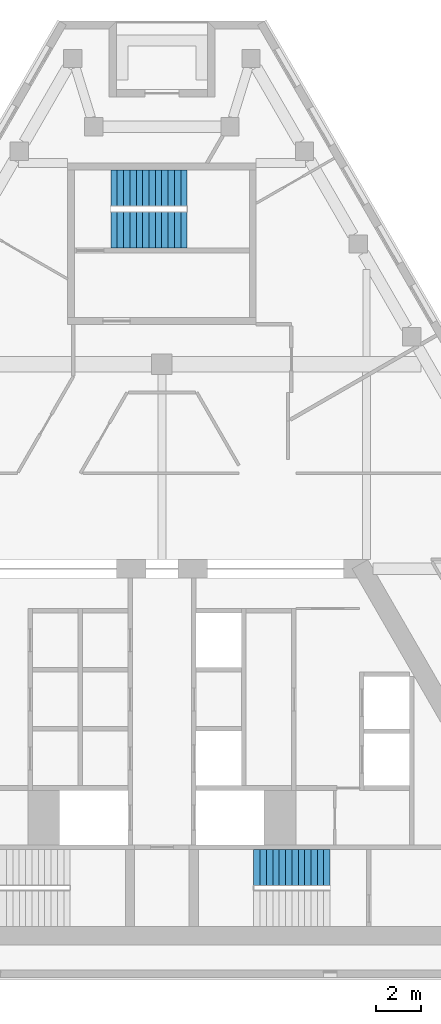
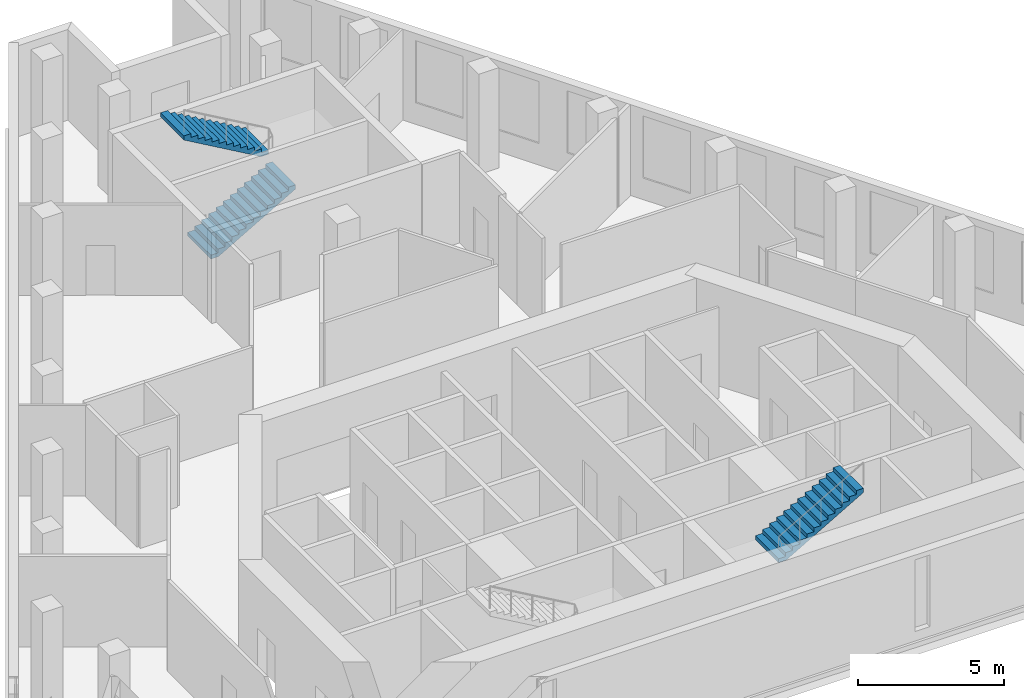
# One storey, part 7 of 8: 3 stair flights, 2 elements without a shape of their own.
"""IFC4 building model written with IfcOpenShell, lengths in metres."""

from ifc_helpers import new_model, si_unit, direction, frame, origin, place, context, subcontext, project, spatial, polyline, outline, extrude, material, type_object, element, aggregate, save


model = new_model("IFC4")

# Units and contexts
model_context = context("Model", 3, precision=1e-05, world=origin(), true_north=direction((0.0, 1.0)))
body_context = subcontext(model_context, "Body", "Model", "MODEL_VIEW")
ifc_project = project(units=[si_unit("LENGTHUNIT", "METRE"), si_unit("AREAUNIT", "SQUARE_METRE"), si_unit("VOLUMEUNIT", "CUBIC_METRE"), si_unit("PLANEANGLEUNIT", "RADIAN"), si_unit("MASSUNIT", "GRAM", prefix="KILO")], contexts=[model_context])

# Site, building, storey
site_placement = place(None, origin())
site = spatial("IfcSite", under=ifc_project, at=site_placement, CompositionType="ELEMENT")
building_placement = place(site_placement, origin())
building = spatial("IfcBuilding", under=site, at=building_placement, Name="Fogline Exchange Tower", CompositionType="ELEMENT")
storey_placement = place(building_placement, frame((0.0, 0.0, 326.699951171875)))
storey = spatial("IfcBuildingStorey", under=building, at=storey_placement, Name="L74", CompositionType="ELEMENT", Elevation=326.699951171875)

# Stair, stair flight
ifc_material = material(Name="Concrete C40", Category="concrete")
stair_type = type_object("IfcStairType", Name="STR26-1615", PredefinedType="HALF_TURN_STAIR", material=ifc_material)
stair_1_placement = place(storey_placement, origin())
stair_1 = element("IfcStair", 1, at=stair_1_placement, inside=storey, type_object=stair_type, Name="Stair ST2", PredefinedType="HALF_TURN_STAIR")
stair_flight_type = type_object("IfcStairFlightType", Name="SF13-1615", PredefinedType="STRAIGHT", material=ifc_material)
stair_flight_1_placement = place(storey_placement, frame((4.0400390625, 4.85009765625, 2.10009765625), z_axis=(0.0, 0.0, 1.0), x_axis=(1.0, 0.0, 0.0)))
stair_flight_1 = element("IfcStairFlight", 2, at=stair_flight_1_placement, type_object=stair_flight_type, Name="ST2 flight 2", NumberOfRisers=13, NumberOfTreads=12, PredefinedType="STRAIGHT", RiserHeight=0.161538462, TreadLength=0.28, context=body_context, shape_type="SweptSolid", body=[
    extrude(outline(polyline([(0.0, 0.0), (0.0, 0.16162109375), (0.280029296875, 0.16162109375), (0.280029296875, 0.322998046875), (0.56005859375, 0.322998046875), (0.56005859375, 0.484619140625), (0.840087890625, 0.484619140625), (0.840087890625, 0.646240234375), (1.1201171875, 0.646240234375), (1.1201171875, 0.8076171875), (1.39990234375, 0.8076171875), (1.39990234375, 0.96923828125), (1.679931640625, 0.96923828125), (1.679931640625, 1.130859375), (1.9599609375, 1.130859375), (1.9599609375, 1.292236328125), (2.239990234375, 1.292236328125), (2.239990234375, 1.453857421875), (2.52001953125, 1.453857421875), (2.52001953125, 1.615478515625), (2.800048828125, 1.615478515625), (2.800048828125, 1.77685546875), (3.080078125, 1.77685546875), (3.080078125, 1.9384765625), (3.360107421875, 1.9384765625), (3.360107421875, 2.10009765625), (3.360107421875, 1.765380859375), (0.300048828125, 0.0), (0.0, 0.0)])), frame((0.0, 0.800048828125, 0.0), z_axis=(0.0, -1.0, 0.0), x_axis=(1.0, 0.0, 0.0)), (0.0, 0.0, 1.0), 1.60009765625),
])
aggregate(stair_1, [stair_flight_1])

# Stair, stair flights
stair_2_placement = place(storey_placement, origin())
stair_2 = element("IfcStair", 3, at=stair_2_placement, inside=storey, type_object=stair_type, Name="Stair ST3", PredefinedType="HALF_TURN_STAIR")
stair_flight_2_placement = place(storey_placement, frame((-2.25, 32.906982421875, 0.0), z_axis=(0.0, 0.0, 1.0), x_axis=(1.0, 0.0, 0.0)))
stair_flight_2 = element("IfcStairFlight", 4, at=stair_flight_2_placement, type_object=stair_flight_type, Name="ST3 flight 1", NumberOfRisers=13, NumberOfTreads=12, PredefinedType="STRAIGHT", RiserHeight=0.161538462, TreadLength=0.28, context=body_context, shape_type="SweptSolid", body=[
    extrude(outline(polyline([(0.0, 0.0), (0.0, 0.16162109375), (0.280029296875, 0.16162109375), (0.280029296875, 0.322998046875), (0.56005859375, 0.322998046875), (0.56005859375, 0.484619140625), (0.840087890625, 0.484619140625), (0.840087890625, 0.646240234375), (1.1201171875, 0.646240234375), (1.1201171875, 0.8076171875), (1.39990234375, 0.8076171875), (1.39990234375, 0.96923828125), (1.679931640625, 0.96923828125), (1.679931640625, 1.130859375), (1.9599609375, 1.130859375), (1.9599609375, 1.292236328125), (2.239990234375, 1.292236328125), (2.239990234375, 1.453857421875), (2.52001953125, 1.453857421875), (2.52001953125, 1.615478515625), (2.800048828125, 1.615478515625), (2.800048828125, 1.77685546875), (3.080078125, 1.77685546875), (3.080078125, 1.9384765625), (3.360107421875, 1.9384765625), (3.360107421875, 2.10009765625), (3.360107421875, 1.765380859375), (0.300048828125, 0.0), (0.0, 0.0)])), frame((0.0, 0.800048828125, 0.0), z_axis=(0.0, -1.0, 0.0), x_axis=(1.0, 0.0, 0.0)), (0.0, 0.0, 1.0), 1.60009765625),
])
stair_flight_3_placement = place(storey_placement, frame((1.110107421875, 34.757080078125, 2.10009765625), z_axis=(0.0, 0.0, 1.0), x_axis=(-1.0, 0.0, 0.0)))
stair_flight_3 = element("IfcStairFlight", 5, at=stair_flight_3_placement, type_object=stair_flight_type, Name="ST3 flight 2", NumberOfRisers=13, NumberOfTreads=12, PredefinedType="STRAIGHT", RiserHeight=0.161538462, TreadLength=0.28, context=body_context, shape_type="SweptSolid", body=[
    extrude(outline(polyline([(0.0, 0.0), (0.0, 0.16162109375), (0.280029296875, 0.16162109375), (0.280029296875, 0.322998046875), (0.56005859375, 0.322998046875), (0.56005859375, 0.484619140625), (0.840087890625, 0.484619140625), (0.840087890625, 0.646240234375), (1.1201171875, 0.646240234375), (1.1201171875, 0.8076171875), (1.39990234375, 0.8076171875), (1.39990234375, 0.96923828125), (1.679931640625, 0.96923828125), (1.679931640625, 1.130859375), (1.9599609375, 1.130859375), (1.9599609375, 1.292236328125), (2.239990234375, 1.292236328125), (2.239990234375, 1.453857421875), (2.52001953125, 1.453857421875), (2.52001953125, 1.615478515625), (2.800048828125, 1.615478515625), (2.800048828125, 1.77685546875), (3.080078125, 1.77685546875), (3.080078125, 1.9384765625), (3.360107421875, 1.9384765625), (3.360107421875, 2.10009765625), (3.360107421875, 1.765380859375), (0.300048828125, 0.0), (0.0, 0.0)])), frame((0.0, 0.800048828125, 0.0), z_axis=(0.0, -1.0, 0.0), x_axis=(1.0, 0.0, 0.0)), (0.0, 0.0, 1.0), 1.60009765625),
])
aggregate(stair_2, [stair_flight_2, stair_flight_3])

save(model, "model.ifc")
